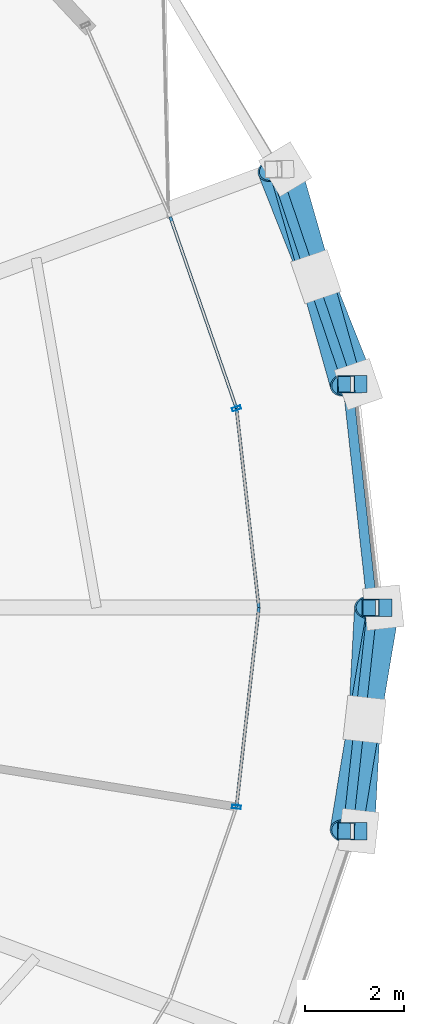
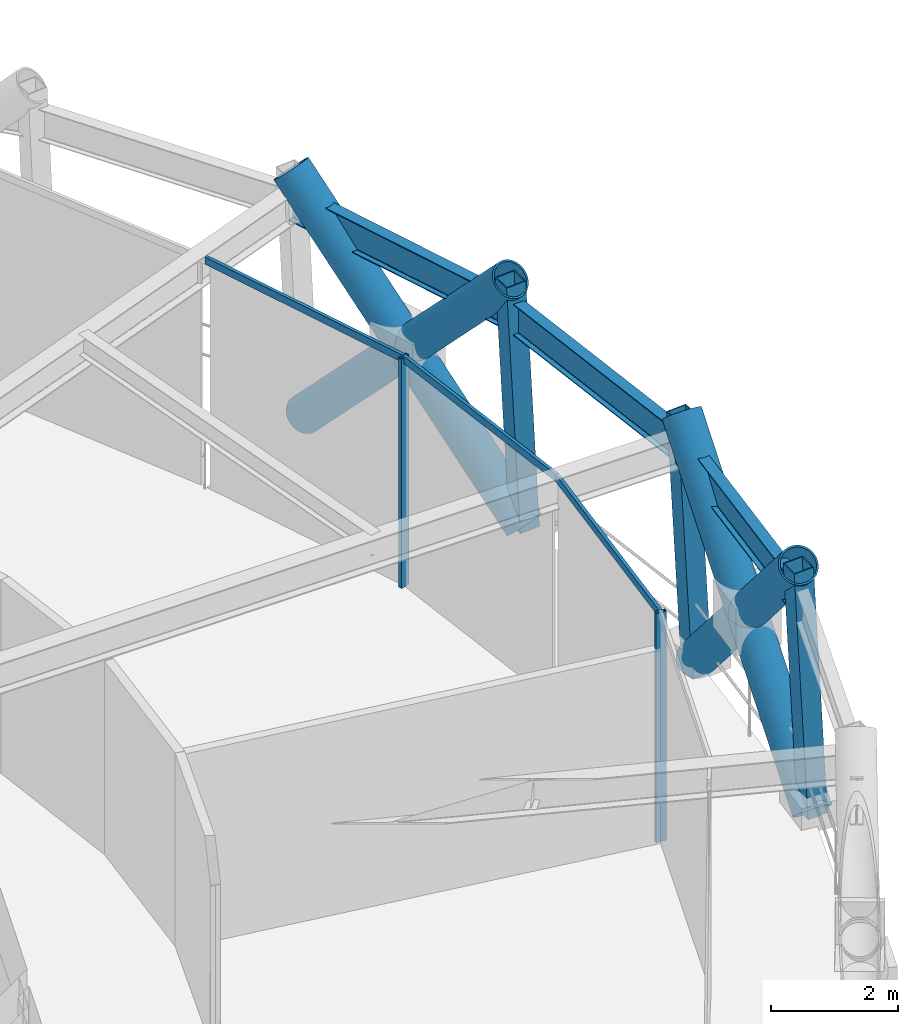
# One storey, part 14 of 29: 14 members, 3 beams, 1 element without a shape of its own.
"""IFC4 building model written with IfcOpenShell, lengths in metres."""

from ifc_helpers import new_model, si_unit, direction, frame, origin, origin_2d, place, context, subcontext, project, spatial, hollow_rectangle, hollow_circle, i_section, extrude, material, layer, layer_set, material_profile, profile_set, type_object, element, aggregate, save


model = new_model("IFC4")

# Units and contexts
model_context = context("Model", 3, precision=1e-05, world=origin(), true_north=direction((0.0, 1.0)))
body_context = subcontext(model_context, "Body", "Model", "MODEL_VIEW")
ifc_project = project(units=[si_unit("LENGTHUNIT", "METRE"), si_unit("AREAUNIT", "SQUARE_METRE"), si_unit("VOLUMEUNIT", "CUBIC_METRE"), si_unit("PLANEANGLEUNIT", "RADIAN"), si_unit("MASSUNIT", "GRAM", prefix="KILO")], contexts=[model_context])

# Site, building, storey
site_placement = place(None, origin())
site = spatial("IfcSite", under=ifc_project, at=site_placement, CompositionType="ELEMENT")
building_placement = place(site_placement, origin())
building = spatial("IfcBuilding", under=site, at=building_placement, Name="Veldorina Hangang Commons", CompositionType="ELEMENT")
storey_placement = place(building_placement, frame((0.0, 0.0, 203.60009765625)))
storey = spatial("IfcBuildingStorey", under=building, at=storey_placement, Name="L53", CompositionType="ELEMENT", Elevation=203.60009765625)

# Beams
ifc_material_1 = material(Name="Steel SM420-TMC", Category="steel")
ifc_material_profile_1 = material_profile(ifc_material_1, i_section(OverallWidth=0.199951171875, OverallDepth=0.60009765625, WebThickness=0.010986328125, FlangeThickness=0.01708984375, FilletRadius=0.01806640625, at=origin_2d()), Name="H-600x200x11x17")
ifc_profile_set_1 = profile_set([ifc_material_profile_1], Name="Steel SM420-TMC")
beam_type = type_object("IfcBeamType", Name="BM-RB600", PredefinedType="BEAM", material=ifc_profile_set_1)
beam_1_placement = place(storey_placement, frame((57.884521484375, 24.0, 4.139892578125), z_axis=(-0.109254099199, 0.994013853932, 0.0), x_axis=(-0.994013853932, -0.109254099199, 0.0)))
element("IfcBeam", 1, at=beam_1_placement, inside=storey, type_object=beam_type, Name="L53 perimeter hoop ring beam 00", PredefinedType="BEAM", context=body_context, shape_type="SweptSolid", body=[
    extrude(i_section(OverallWidth=0.199951171875, OverallDepth=0.60009765625, WebThickness=0.010986328125, FlangeThickness=0.01708984375, FilletRadius=0.01806640625, at=origin_2d()), origin(), (0.0, 0.0, 1.0), 4.552001953125),
])
beam_2_placement = place(storey_placement, frame((57.38720703125, 28.524658203125, 4.139892578125), z_axis=(-0.320704751369, 0.947179213481, 0.0), x_axis=(-0.947179213481, -0.320704751369, 0.0)))
element("IfcBeam", 2, at=beam_2_placement, inside=storey, type_object=beam_type, Name="L53 perimeter hoop ring beam 01", PredefinedType="BEAM", context=body_context, shape_type="SweptSolid", body=[
    extrude(i_section(OverallWidth=0.199951171875, OverallDepth=0.60009765625, WebThickness=0.010986328125, FlangeThickness=0.01708984375, FilletRadius=0.01806640625, at=origin_2d()), origin(), (0.0, 0.0, 1.0), 4.593505859375),
])
beam_3_placement = place(storey_placement, frame((57.38720703125, 19.475341796875, 4.139892578125), z_axis=(0.109254099199, 0.994013853932, 0.0), x_axis=(-0.994013853932, 0.109254099199, 0.0)))
element("IfcBeam", 3, at=beam_3_placement, inside=storey, type_object=beam_type, Name="L53 perimeter hoop ring beam 31", PredefinedType="BEAM", context=body_context, shape_type="SweptSolid", body=[
    extrude(i_section(OverallWidth=0.199951171875, OverallDepth=0.60009765625, WebThickness=0.010986328125, FlangeThickness=0.01708984375, FilletRadius=0.01806640625, at=origin_2d()), origin(), (0.0, 0.0, 1.0), 4.552001953125),
])

# Curtain wall, members
ifc_material_2 = material(Name="Glass Acoustic Laminated", Category="glass")
ifc_layer = layer(ifc_material_2, 0.179931640625)
ifc_layer_set = layer_set([ifc_layer], Name="Glass Acoustic Laminated")
curtain_wall_type = type_object("IfcCurtainWallType", Name="CW-SYS-SKY", PredefinedType="NOTDEFINED", material=ifc_layer_set)
curtain_wall_placement = place(storey_placement, origin())
curtain_wall = element("IfcCurtainWall", 4, at=curtain_wall_placement, inside=storey, type_object=curtain_wall_type, Name="L53 unitised curtain wall CW-L53-R12", PredefinedType="NOTDEFINED")
ifc_material_3 = material(Name="Aluminium Anodized AA6063-T6", Category="aluminium")
ifc_material_profile_2 = material_profile(ifc_material_3, hollow_rectangle(XDim=0.070068359375, YDim=0.179931640625, WallThickness=0.00390625, at=origin_2d()), Name="ALU-RHS-180x70x4")
ifc_profile_set_2 = profile_set([ifc_material_profile_2], Name="Aluminium Anodized AA6063-T6")
member_type_1 = type_object("IfcMemberType", Name="CW-MUL-180", PredefinedType="MULLION", material=ifc_profile_set_2)
member_1_placement = place(storey_placement, frame((55.1328125, 19.96484375, 0.0), z_axis=(0.0, 0.0, 1.0), x_axis=(0.111607687297, 0.993752345475, 0.0)))
member_1 = element("IfcMember", 5, at=member_1_placement, type_object=member_type_1, Name="CW-L53-R12 vertical mullion 2", PredefinedType="MULLION", context=body_context, shape_type="SweptSolid", body=[
    extrude(hollow_rectangle(XDim=0.070068359375, YDim=0.179931640625, WallThickness=0.00390625, at=origin_2d()), origin(), (0.0, 0.0, 1.0), 4.39990234375),
])
member_2_placement = place(storey_placement, frame((55.1328125, 28.03515625, 0.0), z_axis=(0.0, 0.0, 1.0), x_axis=(-0.32692101838, 0.945051664059, 0.0)))
member_2 = element("IfcMember", 6, at=member_2_placement, type_object=member_type_1, Name="CW-L53-R12 vertical mullion 3", PredefinedType="MULLION", context=body_context, shape_type="SweptSolid", body=[
    extrude(hollow_rectangle(XDim=0.070068359375, YDim=0.179931640625, WallThickness=0.00390625, at=origin_2d()), origin(), (0.0, 0.0, 1.0), 4.39990234375),
])
ifc_material_profile_3 = material_profile(ifc_material_3, hollow_rectangle(XDim=0.06005859375, YDim=0.139892578125, WallThickness=0.00341796875, at=origin_2d()), Name="ALU-RHS-140x60x3.5")
ifc_profile_set_3 = profile_set([ifc_material_profile_3], Name="Aluminium Anodized AA6063-T6")
member_type_2 = type_object("IfcMemberType", Name="CW-TRN-140", PredefinedType="USERDEFINED", material=ifc_profile_set_3)
member_3_placement = place(storey_placement, frame((55.1328125, 19.96484375, 4.35986328125), z_axis=(0.111652275198, 0.993747336823, 0.0), x_axis=(-0.993747336823, 0.111652275198, 0.0)))
member_3 = element("IfcMember", 7, at=member_3_placement, type_object=member_type_2, Name="CW-L53-R12 facet 3 transom 1", ObjectType="TRANSOM", PredefinedType="USERDEFINED", context=body_context, shape_type="SweptSolid", body=[
    extrude(hollow_rectangle(XDim=0.06005859375, YDim=0.139892578125, WallThickness=0.00341796875, at=origin_2d()), origin(), (0.0, 0.0, 1.0), 4.060546875),
])
member_4_placement = place(storey_placement, frame((55.586181640625, 24.0, 4.35986328125), z_axis=(-0.111652275198, 0.993747336823, 0.0), x_axis=(-0.993747336823, -0.111652275198, 0.0)))
member_4 = element("IfcMember", 8, at=member_4_placement, type_object=member_type_2, Name="CW-L53-R12 facet 4 transom 1", ObjectType="TRANSOM", PredefinedType="USERDEFINED", context=body_context, shape_type="SweptSolid", body=[
    extrude(hollow_rectangle(XDim=0.06005859375, YDim=0.139892578125, WallThickness=0.00341796875, at=origin_2d()), origin(), (0.0, 0.0, 1.0), 4.060546875),
])
member_5_placement = place(storey_placement, frame((55.1328125, 28.03515625, 4.35986328125), z_axis=(-0.326894051951, 0.945060992105, 0.0), x_axis=(-0.945060992105, -0.326894051951, 0.0)))
member_5 = element("IfcMember", 9, at=member_5_placement, type_object=member_type_2, Name="CW-L53-R12 facet 5 transom 1", ObjectType="TRANSOM", PredefinedType="USERDEFINED", context=body_context, shape_type="SweptSolid", body=[
    extrude(hollow_rectangle(XDim=0.06005859375, YDim=0.139892578125, WallThickness=0.00341796875, at=origin_2d()), origin(), (0.0, 0.0, 1.0), 4.10546875),
])
aggregate(curtain_wall, [member_1, member_2, member_3, member_4, member_5])

# Members
ifc_material_4 = material(Name="Steel SM460-TMC", Category="steel")
ifc_material_profile_4 = material_profile(ifc_material_4, hollow_circle(Radius=0.324951171875, WallThickness=0.031982421875, at=origin_2d()), Name="CHS-650x32")
ifc_profile_set_4 = profile_set([ifc_material_profile_4], Name="Steel SM460-TMC")
member_type_3 = type_object("IfcMemberType", Name="DG-CHS650", PredefinedType="BRACE", material=ifc_profile_set_4)
member_6_placement = place(storey_placement, frame((57.6044921875, 28.526611328125, 0.0), z_axis=(-0.257083827685, 0.648811530547, 0.716206327375), x_axis=(-0.92967779022, -0.368373731925, 0.0)))
element("IfcMember", 10, at=member_6_placement, inside=storey, type_object=member_type_3, Name="L53 continuous perimeter diagrid brace 01", PredefinedType="BRACE", context=body_context, shape_type="SweptSolid", body=[
    extrude(hollow_circle(Radius=0.324951171875, WallThickness=0.031982421875, at=origin_2d()), origin(), (0.0, 0.0, 1.0), 6.70166015625),
])
member_7_placement = place(storey_placement, frame((56.118896484375, 32.87939453125, 0.0), z_axis=(0.188899138463, -0.659519818981, 0.72756492759), x_axis=(0.961344737688, 0.275347590003, 0.0)))
element("IfcMember", 11, at=member_7_placement, inside=storey, type_object=member_type_3, Name="L53 split perimeter diagrid lower brace 02", PredefinedType="BRACE", context=body_context, shape_type="SweptSolid", body=[
    extrude(hollow_circle(Radius=0.324951171875, WallThickness=0.031982421875, at=origin_2d()), origin(), (0.0, 0.0, 1.0), 3.30078125),
])
member_8_placement = place(storey_placement, frame((56.742431640625, 30.702392578125, 2.401611328125), z_axis=(0.185075282075, -0.660686911321, 0.727488793847), x_axis=(0.962932624113, 0.269742027537, 0.0)))
element("IfcMember", 12, at=member_8_placement, inside=storey, type_object=member_type_3, Name="L53 split perimeter diagrid upper brace 02", PredefinedType="BRACE", context=body_context, shape_type="SweptSolid", body=[
    extrude(hollow_circle(Radius=0.324951171875, WallThickness=0.031982421875, at=origin_2d()), origin(), (0.0, 0.0, 1.0), 3.296630859375),
])
member_9_placement = place(storey_placement, frame((57.6044921875, 19.473388671875, 0.0), z_axis=(0.037053003155, 0.685628474553, 0.72700802598), x_axis=(-0.99854290081, 0.053963647409, 0.0)))
element("IfcMember", 13, at=member_9_placement, inside=storey, type_object=member_type_3, Name="L53 continuous perimeter diagrid brace 31", PredefinedType="BRACE", context=body_context, shape_type="SweptSolid", body=[
    extrude(hollow_circle(Radius=0.324951171875, WallThickness=0.031982421875, at=origin_2d()), origin(), (0.0, 0.0, 1.0), 6.60205078125),
])
member_10_placement = place(storey_placement, frame((58.106201171875, 24.0, 0.0), z_axis=(-0.114252775627, -0.681399436622, 0.722939216693), x_axis=(0.986232393507, -0.165365250271, 0.0)))
element("IfcMember", 14, at=member_10_placement, inside=storey, type_object=member_type_3, Name="L53 split perimeter diagrid lower brace 00", PredefinedType="BRACE", context=body_context, shape_type="SweptSolid", body=[
    extrude(hollow_circle(Radius=0.324951171875, WallThickness=0.031982421875, at=origin_2d()), origin(), (0.0, 0.0, 1.0), 3.320556640625),
])
member_11_placement = place(storey_placement, frame((57.726806640625, 21.7373046875, 2.400634765625), z_axis=(-0.112787162432, -0.681578781976, 0.723000290423), x_axis=(0.986583231963, -0.163259077569, 0.0)))
element("IfcMember", 15, at=member_11_placement, inside=storey, type_object=member_type_3, Name="L53 split perimeter diagrid upper brace 00", PredefinedType="BRACE", context=body_context, shape_type="SweptSolid", body=[
    extrude(hollow_circle(Radius=0.324951171875, WallThickness=0.031982421875, at=origin_2d()), origin(), (0.0, 0.0, 1.0), 3.318359375),
])
ifc_material_5 = material(Name="Steel SM355-TMC", Category="steel")
ifc_material_profile_5 = material_profile(ifc_material_5, hollow_rectangle(XDim=0.35009765625, YDim=0.35009765625, WallThickness=0.01611328125, at=origin_2d()), Name="SHS-350x350x16")
ifc_profile_set_5 = profile_set([ifc_material_profile_5], Name="Steel SM355-TMC")
member_type_4 = type_object("IfcMemberType", Name="STR-SHS350", PredefinedType="STRUT", material=ifc_profile_set_5)
member_12_placement = place(storey_placement, frame((58.106201171875, 24.0, 0.0), z_axis=(-0.053483868537, 0.0, 0.998568713613), x_axis=(0.0, -1.0, 0.0)))
element("IfcMember", 16, at=member_12_placement, inside=storey, type_object=member_type_4, Name="L53 perimeter ring node post 00", PredefinedType="STRUT", context=body_context, shape_type="SweptSolid", body=[
    extrude(hollow_rectangle(XDim=0.35009765625, YDim=0.35009765625, WallThickness=0.01611328125, at=origin_2d()), origin(), (0.0, 0.0, 1.0), 4.806640625),
])
for number, where, z_axis, x_axis, name in (
    (17, (57.6044921875, 28.526611328125, 0.0), (-0.052420193908, -0.000457152854, 0.998625011845), (0.008720598618, -0.999961974857, 0.0), "L53 perimeter ring node post 01"),
    (18, (57.6044921875, 19.473388671875, 0.0), (-0.052420193908, 0.000457152854, 0.998625011845), (-0.008720598618, -0.999961974857, 0.0), "L53 perimeter ring node post 31"),
):
    element("IfcMember", number, at=place(storey_placement, frame(where, z_axis=z_axis, x_axis=x_axis)), inside=storey, type_object=member_type_4, Name=name, PredefinedType="STRUT", context=body_context, shape_type="SweptSolid", body=[
        extrude(hollow_rectangle(XDim=0.35009765625, YDim=0.35009765625, WallThickness=0.01611328125, at=origin_2d()), origin(), (0.0, 0.0, 1.0), 4.806396484375),
    ])

save(model, "model.ifc")
